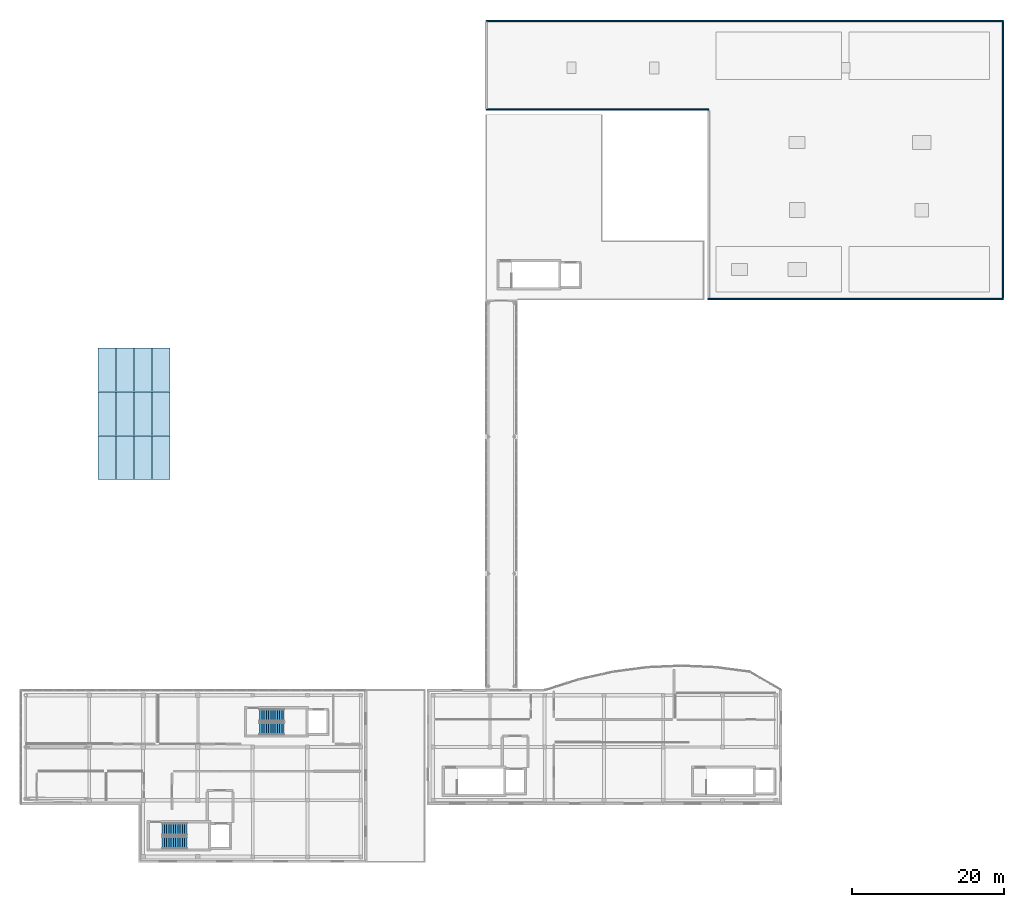
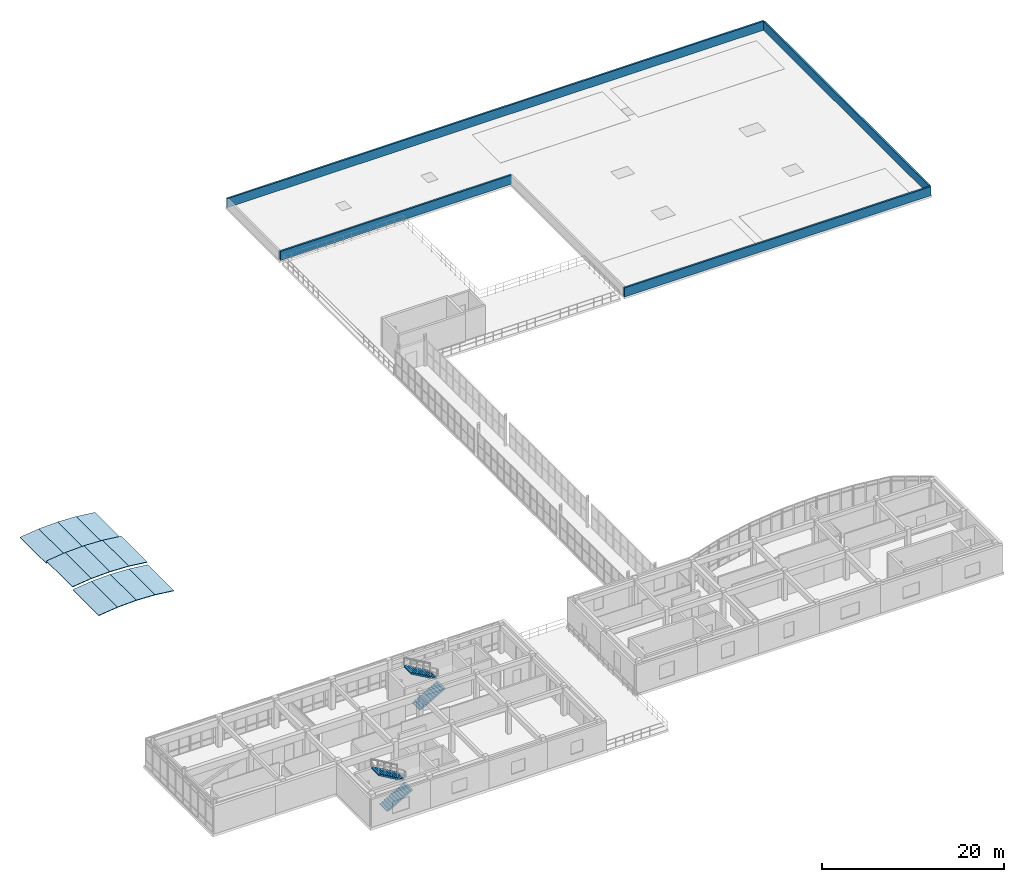
# One storey, part 50 of 52: 12 roofs, 4 stair flights, 4 walls, 2 elements without a shape of their own.
"""IFC4 building model written with IfcOpenShell, lengths in metres."""

from ifc_helpers import new_model, si_unit, direction, frame, frame_2d, origin, place, context, subcontext, project, spatial, polyline, rectangle, outline, extrude, material, layer, layer_set, type_object, element, aggregate, save


model = new_model("IFC4")

# Units and contexts
model_context = context("Model", 3, precision=1e-05, world=origin(), true_north=direction((0.0, 1.0)))
body_context = subcontext(model_context, "Body", "Model", "MODEL_VIEW")
ifc_project = project(units=[si_unit("LENGTHUNIT", "METRE"), si_unit("AREAUNIT", "SQUARE_METRE"), si_unit("VOLUMEUNIT", "CUBIC_METRE"), si_unit("PLANEANGLEUNIT", "RADIAN"), si_unit("MASSUNIT", "GRAM", prefix="KILO")], contexts=[model_context])

# Site, building, storey
site_placement = place(None, origin())
site = spatial("IfcSite", under=ifc_project, at=site_placement, CompositionType="ELEMENT")
building_placement = place(site_placement, origin())
building = spatial("IfcBuilding", under=site, at=building_placement, Name="Valcora Specialist Clinic", CompositionType="ELEMENT")
storey_placement = place(building_placement, frame((0.0, 0.0, 17.679931640625)))
storey = spatial("IfcBuildingStorey", under=building, at=storey_placement, Name="L04", CompositionType="ELEMENT", Elevation=17.679931640625)

# Walls
ifc_material_1 = material(Name="Extruded Jalisco Clay Brick Masonry", Category="masonry")
ifc_layer = layer(ifc_material_1, 0.22509765625)
ifc_layer_set = layer_set([ifc_layer], Name="Extruded Jalisco Clay Brick Masonry")
wall_type = type_object("IfcWallType", Name="TY-WL-PP225", PredefinedType="PARAPET", material=ifc_layer_set)
wall_1_placement = place(storey_placement, frame((90.469970703125, 74.1201171875, 0.0), z_axis=(0.0, 0.0, 1.0), x_axis=(1.0, 0.0, 0.0)))
element("IfcWall", 1, at=wall_1_placement, inside=storey, type_object=wall_type, Name="Roof parapet 7", PredefinedType="PARAPET", context=body_context, shape_type="SweptSolid", body=[
    extrude(rectangle(XDim=38.81005859375, YDim=0.22509765625, at=frame_2d((19.405029296875, 0.0))), origin(), (0.0, 0.0, 1.0), 1.199951171875),
])
wall_2_placement = place(storey_placement, frame((129.280029296875, 74.260009765625, 0.0), z_axis=(0.0, 0.0, 1.0), x_axis=(0.0, 1.0, 0.0)))
element("IfcWall", 2, at=wall_2_placement, inside=storey, type_object=wall_type, Name="Roof parapet 8", PredefinedType="PARAPET", context=body_context, shape_type="SweptSolid", body=[
    extrude(rectangle(XDim=36.280029296875, YDim=0.22509765625, at=frame_2d((18.14013671875, 0.0))), origin(), (0.0, 0.0, 1.0), 1.199951171875),
])
wall_3_placement = place(storey_placement, frame((129.280029296875, 110.679931640625, 0.0), z_axis=(0.0, 0.0, 1.0), x_axis=(-1.0, 0.0, 0.0)))
element("IfcWall", 3, at=wall_3_placement, inside=storey, type_object=wall_type, Name="Roof parapet 9", PredefinedType="PARAPET", context=body_context, shape_type="SweptSolid", body=[
    extrude(rectangle(XDim=67.9599609375, YDim=0.22509765625, at=frame_2d((33.97998046875, 0.0))), origin(), (0.0, 0.0, 1.0), 1.199951171875),
])
wall_4_placement = place(storey_placement, frame((61.320068359375, 99.02001953125, 0.0), z_axis=(0.0, 0.0, 1.0), x_axis=(1.0, 0.0, 0.0)))
element("IfcWall", 4, at=wall_4_placement, inside=storey, type_object=wall_type, Name="Roof parapet 11", PredefinedType="PARAPET", context=body_context, shape_type="SweptSolid", body=[
    extrude(rectangle(XDim=29.25, YDim=0.22509765625, at=frame_2d((14.625, 0.0))), origin(), (0.0, 0.0, 1.0), 1.199951171875),
])

# Stair, stair flights
ifc_material_2 = material(Name="Concrete C40/50", Category="concrete")
stair_type = type_object("IfcStairType", Name="TY-ST-DG408", PredefinedType="HALF_TURN_STAIR", material=ifc_material_2)
stair_1_placement = place(storey_placement, origin())
stair_1 = element("IfcStair", 5, at=stair_1_placement, inside=storey, type_object=stair_type, Name="L04 Core C-V5A stair ST-V5A", PredefinedType="HALF_TURN_STAIR")
stair_flight_type = type_object("IfcStairFlightType", Name="TY-SF-RC160", PredefinedType="STRAIGHT", material=ifc_material_2)
stair_flight_1_placement = place(storey_placement, frame((18.699951171875, 2.60009765625, 0.0), z_axis=(0.0, 0.0, 1.0), x_axis=(1.0, 0.0, 0.0)))
stair_flight_1 = element("IfcStairFlight", 6, at=stair_flight_1_placement, type_object=stair_flight_type, Name="ST-V5A flight 1", NumberOfRisers=12, NumberOfTreads=11, PredefinedType="STRAIGHT", RiserHeight=0.17, TreadLength=0.295, context=body_context, shape_type="SweptSolid", body=[
    extrude(outline(polyline([(0.0, 0.0), (0.0, 0.169921875), (0.294921875, 0.169921875), (0.294921875, 0.340087890625), (0.590087890625, 0.340087890625), (0.590087890625, 0.510009765625), (0.885009765625, 0.510009765625), (0.885009765625, 0.679931640625), (1.179931640625, 0.679931640625), (1.179931640625, 0.85009765625), (1.47509765625, 0.85009765625), (1.47509765625, 1.02001953125), (1.77001953125, 1.02001953125), (1.77001953125, 1.18994140625), (2.06494140625, 1.18994140625), (2.06494140625, 1.360107421875), (2.360107421875, 1.360107421875), (2.360107421875, 1.530029296875), (2.655029296875, 1.530029296875), (2.655029296875, 1.699951171875), (2.949951171875, 1.699951171875), (2.949951171875, 1.8701171875), (3.2451171875, 1.8701171875), (3.2451171875, 2.0400390625), (3.2451171875, 1.685546875), (0.3203125, 0.0), (0.0, 0.0)])), frame((0.0, 0.800048828125, 0.0), z_axis=(0.0, -1.0, 0.0), x_axis=(1.0, 0.0, 0.0)), (0.0, 0.0, 1.0), 1.60009765625),
])
stair_flight_2_placement = place(storey_placement, frame((21.945068359375, 4.39990234375, 2.0400390625), z_axis=(0.0, 0.0, 1.0), x_axis=(-1.0, 0.0, 0.0)))
stair_flight_2 = element("IfcStairFlight", 7, at=stair_flight_2_placement, type_object=stair_flight_type, Name="ST-V5A flight 2", NumberOfRisers=12, NumberOfTreads=11, PredefinedType="STRAIGHT", RiserHeight=0.17, TreadLength=0.295, context=body_context, shape_type="SweptSolid", body=[
    extrude(outline(polyline([(0.0, 0.0), (0.0, 0.169921875), (0.294921875, 0.169921875), (0.294921875, 0.340087890625), (0.590087890625, 0.340087890625), (0.590087890625, 0.510009765625), (0.885009765625, 0.510009765625), (0.885009765625, 0.679931640625), (1.179931640625, 0.679931640625), (1.179931640625, 0.85009765625), (1.47509765625, 0.85009765625), (1.47509765625, 1.02001953125), (1.77001953125, 1.02001953125), (1.77001953125, 1.18994140625), (2.06494140625, 1.18994140625), (2.06494140625, 1.360107421875), (2.360107421875, 1.360107421875), (2.360107421875, 1.530029296875), (2.655029296875, 1.530029296875), (2.655029296875, 1.699951171875), (2.949951171875, 1.699951171875), (2.949951171875, 1.8701171875), (3.2451171875, 1.8701171875), (3.2451171875, 2.0400390625), (3.2451171875, 1.685546875), (0.3203125, 0.0), (0.0, 0.0)])), frame((0.0, 0.800048828125, 0.0), z_axis=(0.0, -1.0, 0.0), x_axis=(1.0, 0.0, 0.0)), (0.0, 0.0, 1.0), 1.60009765625),
])
aggregate(stair_1, [stair_flight_1, stair_flight_2])

stair_2_placement = place(storey_placement, origin())
stair_2 = element("IfcStair", 8, at=stair_2_placement, inside=storey, type_object=stair_type, Name="L04 Core C-V5B stair ST-V5B", PredefinedType="HALF_TURN_STAIR")
stair_flight_3_placement = place(storey_placement, frame((31.5, 17.60009765625, 0.0), z_axis=(0.0, 0.0, 1.0), x_axis=(1.0, 0.0, 0.0)))
stair_flight_3 = element("IfcStairFlight", 9, at=stair_flight_3_placement, type_object=stair_flight_type, Name="ST-V5B flight 1", NumberOfRisers=12, NumberOfTreads=11, PredefinedType="STRAIGHT", RiserHeight=0.17, TreadLength=0.295, context=body_context, shape_type="SweptSolid", body=[
    extrude(outline(polyline([(0.0, 0.0), (0.0, 0.169921875), (0.294921875, 0.169921875), (0.294921875, 0.340087890625), (0.590087890625, 0.340087890625), (0.590087890625, 0.510009765625), (0.885009765625, 0.510009765625), (0.885009765625, 0.679931640625), (1.179931640625, 0.679931640625), (1.179931640625, 0.85009765625), (1.47509765625, 0.85009765625), (1.47509765625, 1.02001953125), (1.77001953125, 1.02001953125), (1.77001953125, 1.18994140625), (2.06494140625, 1.18994140625), (2.06494140625, 1.360107421875), (2.360107421875, 1.360107421875), (2.360107421875, 1.530029296875), (2.655029296875, 1.530029296875), (2.655029296875, 1.699951171875), (2.949951171875, 1.699951171875), (2.949951171875, 1.8701171875), (3.2451171875, 1.8701171875), (3.2451171875, 2.0400390625), (3.2451171875, 1.685546875), (0.3203125, 0.0), (0.0, 0.0)])), frame((0.0, 0.800048828125, 0.0), z_axis=(0.0, -1.0, 0.0), x_axis=(1.0, 0.0, 0.0)), (0.0, 0.0, 1.0), 1.60009765625),
])
stair_flight_4_placement = place(storey_placement, frame((34.7451171875, 19.39990234375, 2.0400390625), z_axis=(0.0, 0.0, 1.0), x_axis=(-1.0, 0.0, 0.0)))
stair_flight_4 = element("IfcStairFlight", 10, at=stair_flight_4_placement, type_object=stair_flight_type, Name="ST-V5B flight 2", NumberOfRisers=12, NumberOfTreads=11, PredefinedType="STRAIGHT", RiserHeight=0.17, TreadLength=0.295, context=body_context, shape_type="SweptSolid", body=[
    extrude(outline(polyline([(0.0, 0.0), (0.0, 0.169921875), (0.294921875, 0.169921875), (0.294921875, 0.340087890625), (0.590087890625, 0.340087890625), (0.590087890625, 0.510009765625), (0.885009765625, 0.510009765625), (0.885009765625, 0.679931640625), (1.179931640625, 0.679931640625), (1.179931640625, 0.85009765625), (1.47509765625, 0.85009765625), (1.47509765625, 1.02001953125), (1.77001953125, 1.02001953125), (1.77001953125, 1.18994140625), (2.06494140625, 1.18994140625), (2.06494140625, 1.360107421875), (2.360107421875, 1.360107421875), (2.360107421875, 1.530029296875), (2.655029296875, 1.530029296875), (2.655029296875, 1.699951171875), (2.949951171875, 1.699951171875), (2.949951171875, 1.8701171875), (3.2451171875, 1.8701171875), (3.2451171875, 2.0400390625), (3.2451171875, 1.685546875), (0.3203125, 0.0), (0.0, 0.0)])), frame((0.0, 0.800048828125, 0.0), z_axis=(0.0, -1.0, 0.0), x_axis=(1.0, 0.0, 0.0)), (0.0, 0.0, 1.0), 1.60009765625),
])
aggregate(stair_2, [stair_flight_3, stair_flight_4])

# Roofs
ifc_material_3 = material(Name="Anodized Bronze Aluminium 6063-T6", Category="aluminium")
roof_type = type_object("IfcRoofType", Name="TY-RF-GS", PredefinedType="BARREL_ROOF", material=ifc_material_3)
roof_1_placement = place(storey_placement, frame((10.25, 50.361083984375, -0.197265625), z_axis=(-0.117599343536, 0.0, 0.993061123194), x_axis=(0.993061123194, 0.0, 0.117599343536)))
element("IfcRoof", 11, at=roof_1_placement, inside=storey, type_object=roof_type, Name="Volume 1 parabolic gridshell vault facet 29", PredefinedType="BARREL_ROOF", context=body_context, shape_type="SweptSolid", body=[
    extrude(outline(polyline([(0.0, 0.0), (2.3915949829559353, 0.0), (2.3915949829559353, 5.705810546875001), (0.0, 5.705810546875001), (0.0, 0.0)])), origin(), (0.0, 0.0, -1.0), 0.080078125),
])
for number, where, z_axis, x_axis, name in (
    (12, (12.625, 50.361083984375, 0.083984375), (-0.039237851707, 0.0, 0.999229898969), (0.999229898969, 0.0, 0.039237851707), "Volume 1 parabolic gridshell vault facet 30"),
    (13, (15.0, 50.361083984375, 0.17724609375), (0.039237851707, 0.0, 0.999229898969), (0.999229898969, 0.0, -0.039237851707), "Volume 1 parabolic gridshell vault facet 31"),
):
    element("IfcRoof", number, at=place(storey_placement, frame(where, z_axis=z_axis, x_axis=x_axis)), inside=storey, type_object=roof_type, Name=name, PredefinedType="BARREL_ROOF", context=body_context, shape_type="SweptSolid", body=[
        extrude(outline(polyline([(0.0, 0.0), (2.376830399541415, 0.0), (2.376830399541415, 5.705810546875), (0.0, 5.705810546875), (0.0, 0.0)])), origin(), (0.0, 0.0, -1.0), 0.080078125),
    ])
roof_2_placement = place(storey_placement, frame((17.375, 50.361083984375, 0.083984375), z_axis=(0.117599343536, 0.0, 0.993061123194), x_axis=(0.993061123194, 0.0, -0.117599343536)))
element("IfcRoof", 14, at=roof_2_placement, inside=storey, type_object=roof_type, Name="Volume 1 parabolic gridshell vault facet 32", PredefinedType="BARREL_ROOF", context=body_context, shape_type="SweptSolid", body=[
    extrude(outline(polyline([(0.0, 0.0), (2.3915949829559353, 0.0), (2.3915949829559353, 5.705810546875001), (0.0, 5.705810546875001), (0.0, 0.0)])), origin(), (0.0, 0.0, -1.0), 0.080078125),
])
roof_3_placement = place(storey_placement, frame((10.25, 56.14697265625, 0.125732421875), z_axis=(-0.117599343536, 0.0, 0.993061123194), x_axis=(0.993061123194, 0.0, 0.117599343536)))
element("IfcRoof", 15, at=roof_3_placement, inside=storey, type_object=roof_type, Name="Volume 1 parabolic gridshell vault facet 41", PredefinedType="BARREL_ROOF", context=body_context, shape_type="SweptSolid", body=[
    extrude(outline(polyline([(0.0, 0.0), (2.3915949829559353, 0.0), (2.3915949829559353, 5.706054687500001), (0.0, 5.706054687500001), (0.0, 0.0)])), origin(), (0.0, 0.0, -1.0), 0.080078125),
])
for number, where, z_axis, x_axis, name in (
    (16, (12.625, 56.14697265625, 0.406982421875), (-0.039135292342, 0.0, 0.999233921008), (0.999233921008, 0.0, 0.039135292342), "Volume 1 parabolic gridshell vault facet 42"),
    (17, (15.0, 56.14697265625, 0.5), (0.039135292342, 0.0, 0.999233921008), (0.999233921008, 0.0, -0.039135292342), "Volume 1 parabolic gridshell vault facet 43"),
):
    element("IfcRoof", number, at=place(storey_placement, frame(where, z_axis=z_axis, x_axis=x_axis)), inside=storey, type_object=roof_type, Name=name, PredefinedType="BARREL_ROOF", context=body_context, shape_type="SweptSolid", body=[
        extrude(outline(polyline([(0.0, 0.0), (2.3768208325072044, 0.0), (2.3768208325072044, 5.7060546875), (0.0, 5.7060546875), (0.0, 0.0)])), origin(), (0.0, 0.0, -1.0), 0.080078125),
    ])
roof_4_placement = place(storey_placement, frame((17.375, 56.14697265625, 0.406982421875), z_axis=(0.117599343536, 0.0, 0.993061123194), x_axis=(0.993061123194, 0.0, -0.117599343536)))
element("IfcRoof", 18, at=roof_4_placement, inside=storey, type_object=roof_type, Name="Volume 1 parabolic gridshell vault facet 44", PredefinedType="BARREL_ROOF", context=body_context, shape_type="SweptSolid", body=[
    extrude(outline(polyline([(0.0, 0.0), (2.3915949829559353, 0.0), (2.3915949829559353, 5.706054687500001), (0.0, 5.706054687500001), (0.0, 0.0)])), origin(), (0.0, 0.0, -1.0), 0.080078125),
])
roof_5_placement = place(storey_placement, frame((10.25, 61.93310546875, -0.197265625), z_axis=(-0.117599343536, 0.0, 0.993061123194), x_axis=(0.993061123194, 0.0, 0.117599343536)))
element("IfcRoof", 19, at=roof_5_placement, inside=storey, type_object=roof_type, Name="Volume 1 parabolic gridshell vault facet 53", PredefinedType="BARREL_ROOF", context=body_context, shape_type="SweptSolid", body=[
    extrude(outline(polyline([(0.0, 0.0), (2.3915949829559353, 0.0), (2.3915949829559353, 5.705810546875001), (0.0, 5.705810546875001), (0.0, 0.0)])), origin(), (0.0, 0.0, -1.0), 0.080078125),
])
for number, where, z_axis, x_axis, name in (
    (20, (12.625, 61.93310546875, 0.083984375), (-0.039237851707, 0.0, 0.999229898969), (0.999229898969, 0.0, 0.039237851707), "Volume 1 parabolic gridshell vault facet 54"),
    (21, (15.0, 61.93310546875, 0.17724609375), (0.039237851707, 0.0, 0.999229898969), (0.999229898969, 0.0, -0.039237851707), "Volume 1 parabolic gridshell vault facet 55"),
):
    element("IfcRoof", number, at=place(storey_placement, frame(where, z_axis=z_axis, x_axis=x_axis)), inside=storey, type_object=roof_type, Name=name, PredefinedType="BARREL_ROOF", context=body_context, shape_type="SweptSolid", body=[
        extrude(outline(polyline([(0.0, 0.0), (2.376830399541415, 0.0), (2.376830399541415, 5.705810546875), (0.0, 5.705810546875), (0.0, 0.0)])), origin(), (0.0, 0.0, -1.0), 0.080078125),
    ])
roof_6_placement = place(storey_placement, frame((17.375, 61.93310546875, 0.083984375), z_axis=(0.117599343536, 0.0, 0.993061123194), x_axis=(0.993061123194, 0.0, -0.117599343536)))
element("IfcRoof", 22, at=roof_6_placement, inside=storey, type_object=roof_type, Name="Volume 1 parabolic gridshell vault facet 56", PredefinedType="BARREL_ROOF", context=body_context, shape_type="SweptSolid", body=[
    extrude(outline(polyline([(0.0, 0.0), (2.3915949829559353, 0.0), (2.3915949829559353, 5.705810546875001), (0.0, 5.705810546875001), (0.0, 0.0)])), origin(), (0.0, 0.0, -1.0), 0.080078125),
])

save(model, "model.ifc")
